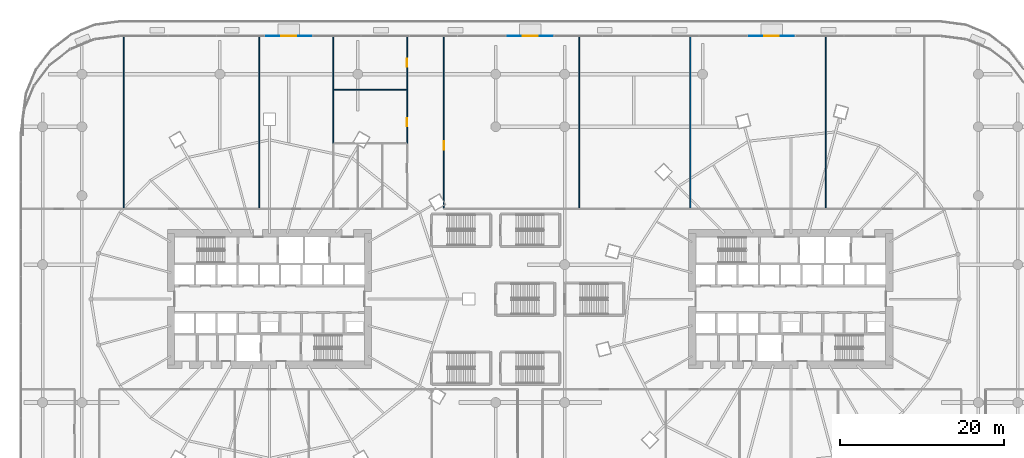
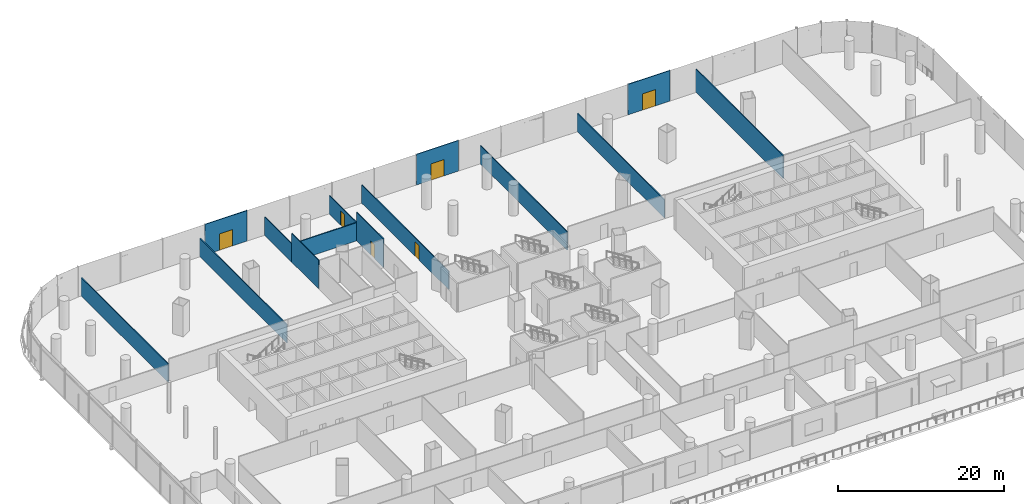
# One storey, part 34 of 43: 14 walls, 6 doors, 6 openings.
"""IFC4 building model written with IfcOpenShell, lengths in metres."""

from ifc_helpers import new_model, si_unit, direction, frame, frame_2d, origin, place, context, subcontext, project, spatial, rectangle, extrude, material, layer, layer_set, type_object, element, fill, save


model = new_model("IFC4")

# Units and contexts
model_context = context("Model", 3, precision=1e-05, world=origin(), true_north=direction((0.0, 1.0)))
body_context = subcontext(model_context, "Body", "Model", "MODEL_VIEW")
ifc_project = project(units=[si_unit("LENGTHUNIT", "METRE"), si_unit("AREAUNIT", "SQUARE_METRE"), si_unit("VOLUMEUNIT", "CUBIC_METRE"), si_unit("PLANEANGLEUNIT", "RADIAN"), si_unit("MASSUNIT", "GRAM", prefix="KILO")], contexts=[model_context])

# Site, building, storey
site_placement = place(None, origin())
site = spatial("IfcSite", under=ifc_project, at=site_placement, CompositionType="ELEMENT")
building_placement = place(site_placement, origin())
building = spatial("IfcBuilding", under=site, at=building_placement, Name="Rimbun Link Towers", CompositionType="ELEMENT")
storey_placement = place(building_placement, frame((0.0, 0.0, 12.0)))
storey = spatial("IfcBuildingStorey", under=building, at=storey_placement, Name="L02", CompositionType="ELEMENT", Elevation=12.0)

# Wall, opening, door
ifc_material_1 = material(Name="Aluminium framed insulated infill panel", Category="aluminium")
ifc_layer_1 = layer(ifc_material_1, 0.10009765625)
ifc_layer_set_1 = layer_set([ifc_layer_1], Name="ED framed infill wall 100")
wall_type_1 = type_object("IfcWallType", Name="ED framed infill wall 100", PredefinedType="STANDARD", material=ifc_layer_set_1)
wall_1_placement = place(storey_placement, frame((26.490478515625, 32.050048828125, 0.0), z_axis=(0.0, 0.0, 1.0), x_axis=(1.0, 0.0, 0.0)))
wall_1 = element("IfcWall", 1, at=wall_1_placement, inside=storey, type_object=wall_type_1, Name="Framed door bay wall", PredefinedType="STANDARD", context=body_context, shape_type="SweptSolid", body=[
    extrude(rectangle(XDim=5.842529296875, YDim=0.10009765625, at=frame_2d((2.92138671875, 0.0))), origin(), (0.0, 0.0, 1.0), 4.5),
])
opening_1_placement = place(wall_1_placement, frame((2.021240234375, 0.0, 0.0)))
opening_1 = element("IfcOpeningElement", 2, at=opening_1_placement, cuts=wall_1, Name="Opening ED29", PredefinedType="OPENING", context=body_context, shape_type="SweptSolid", body=[
    extrude(rectangle(XDim=1.800048828125, YDim=2.39990234375, at=frame_2d((0.89990234375, 1.199951171875))), frame((0.0, 0.06005859375, 0.0), z_axis=(0.0, -1.0, 0.0), x_axis=(1.0, 0.0, 0.0)), (0.0, 0.0, 1.0), 0.1201171875),
])
ifc_material_2 = material(Name="Aluminium framed glazed door, low-iron glass", Category="aluminium")
door_type_1 = type_object("IfcDoorType", Name="ED terrace door double leaf 1800X2400", OperationType="DOUBLE_DOOR_SINGLE_SWING", PredefinedType="DOOR", material=ifc_material_2)
door_1_placement = place(opening_1_placement, origin())
door_1 = element("IfcDoor", 3, at=door_1_placement, inside=storey, type_object=door_type_1, Name="Terrace door", OperationType="SINGLE_SWING_LEFT", OverallHeight=2.39990234375, OverallWidth=1.800048828125, PredefinedType="DOOR", context=body_context, shape_type="SweptSolid", body=[
    extrude(rectangle(XDim=1.800048828125, YDim=2.39990234375, at=frame_2d((0.89990234375, 1.199951171875))), frame((0.0, 0.02490234375, 0.0), z_axis=(0.0, -1.0, 0.0), x_axis=(1.0, 0.0, 0.0)), (0.0, 0.0, 1.0), 0.050048828125),
])
fill(opening_1, door_1)

wall_2_placement = place(storey_placement, frame((-2.921142578125, 32.050048828125, 0.0), z_axis=(0.0, 0.0, 1.0), x_axis=(1.0, 0.0, 0.0)))
wall_2 = element("IfcWall", 4, at=wall_2_placement, inside=storey, type_object=wall_type_1, Name="Framed door bay wall", PredefinedType="STANDARD", context=body_context, shape_type="SweptSolid", body=[
    extrude(rectangle(XDim=5.84228515625, YDim=0.10009765625, at=frame_2d((2.921142578125, 0.0))), origin(), (0.0, 0.0, 1.0), 4.5),
])
opening_2_placement = place(wall_2_placement, frame((2.021240234375, 0.0, 0.0)))
opening_2 = element("IfcOpeningElement", 5, at=opening_2_placement, cuts=wall_2, Name="Opening ED30", PredefinedType="OPENING", context=body_context, shape_type="SweptSolid", body=[
    extrude(rectangle(XDim=1.800048828125, YDim=2.39990234375, at=frame_2d((0.89990234375, 1.199951171875))), frame((0.0, 0.06005859375, 0.0), z_axis=(0.0, -1.0, 0.0), x_axis=(1.0, 0.0, 0.0)), (0.0, 0.0, 1.0), 0.1201171875),
])
door_2_placement = place(opening_2_placement, origin())
door_2 = element("IfcDoor", 6, at=door_2_placement, inside=storey, type_object=door_type_1, Name="Terrace door", OperationType="SINGLE_SWING_LEFT", OverallHeight=2.39990234375, OverallWidth=1.800048828125, PredefinedType="DOOR", context=body_context, shape_type="SweptSolid", body=[
    extrude(rectangle(XDim=1.800048828125, YDim=2.39990234375, at=frame_2d((0.89990234375, 1.199951171875))), frame((0.0, 0.02490234375, 0.0), z_axis=(0.0, -1.0, 0.0), x_axis=(1.0, 0.0, 0.0)), (0.0, 0.0, 1.0), 0.050048828125),
])
fill(opening_2, door_2)

wall_3_placement = place(storey_placement, frame((-32.3330078125, 32.050048828125, 0.0), z_axis=(0.0, 0.0, 1.0), x_axis=(1.0, 0.0, 0.0)))
wall_3 = element("IfcWall", 7, at=wall_3_placement, inside=storey, type_object=wall_type_1, Name="Framed door bay wall", PredefinedType="STANDARD", context=body_context, shape_type="SweptSolid", body=[
    extrude(rectangle(XDim=5.842529296875, YDim=0.10009765625, at=frame_2d((2.92138671875, 0.0))), origin(), (0.0, 0.0, 1.0), 4.5),
])
opening_3_placement = place(wall_3_placement, frame((2.021240234375, 0.0, 0.0)))
opening_3 = element("IfcOpeningElement", 8, at=opening_3_placement, cuts=wall_3, Name="Opening ED31", PredefinedType="OPENING", context=body_context, shape_type="SweptSolid", body=[
    extrude(rectangle(XDim=1.800048828125, YDim=2.39990234375, at=frame_2d((0.89990234375, 1.199951171875))), frame((0.0, 0.06005859375, 0.0), z_axis=(0.0, -1.0, 0.0), x_axis=(1.0, 0.0, 0.0)), (0.0, 0.0, 1.0), 0.1201171875),
])
door_3_placement = place(opening_3_placement, origin())
door_3 = element("IfcDoor", 9, at=door_3_placement, inside=storey, type_object=door_type_1, Name="Terrace door", OperationType="SINGLE_SWING_LEFT", OverallHeight=2.39990234375, OverallWidth=1.800048828125, PredefinedType="DOOR", context=body_context, shape_type="SweptSolid", body=[
    extrude(rectangle(XDim=1.800048828125, YDim=2.39990234375, at=frame_2d((0.89990234375, 1.199951171875))), frame((0.0, 0.02490234375, 0.0), z_axis=(0.0, -1.0, 0.0), x_axis=(1.0, 0.0, 0.0)), (0.0, 0.0, 1.0), 0.050048828125),
])
fill(opening_3, door_3)

ifc_material_3 = material(Name="Gypsum board on steel studs", Category="steel")
ifc_layer_2 = layer(ifc_material_3, 0.125)
ifc_layer_set_2 = layer_set([ifc_layer_2], Name="Partition 125 board on studs")
wall_type_2 = type_object("IfcWallType", Name="Partition 125 board on studs", PredefinedType="PARTITIONING", material=ifc_layer_set_2)
wall_4_placement = place(storey_placement, frame((-15.0, 25.5, 0.0), z_axis=(0.0, 0.0, 1.0), x_axis=(0.0, -1.0, 0.0)))
wall_4 = element("IfcWall", 10, at=wall_4_placement, inside=storey, type_object=wall_type_2, Name="PD/PW/L02/088", PredefinedType="PARTITIONING", context=body_context, shape_type="SweptSolid", body=[
    extrude(rectangle(XDim=6.5, YDim=0.125, at=frame_2d((3.25, 0.0))), origin(), (0.0, 0.0, 1.0), 4.199951171875),
])
opening_4_placement = place(wall_4_placement, frame((3.43994140625, 0.0, 0.0)))
opening_4 = element("IfcOpeningElement", 11, at=opening_4_placement, cuts=wall_4, Name="Opening PD D02.24", PredefinedType="OPENING", context=body_context, shape_type="SweptSolid", body=[
    extrude(rectangle(XDim=1.0, YDim=2.10009765625, at=frame_2d((0.5, 1.050048828125))), frame((0.0, 0.072509765625, 0.0), z_axis=(0.0, -1.0, 0.0), x_axis=(1.0, 0.0, 0.0)), (0.0, 0.0, 1.0), 0.14501953125),
])
ifc_material_4 = material(Name="Timber door set", Category="wood")
door_type_2 = type_object("IfcDoorType", Name="Door single leaf 1000 x 2100", OperationType="NOTDEFINED", PredefinedType="DOOR", material=ifc_material_4)
door_4_placement = place(opening_4_placement, origin())
door_4 = element("IfcDoor", 12, at=door_4_placement, inside=storey, type_object=door_type_2, Name="PD/DR/L02/024", OperationType="SINGLE_SWING_LEFT", OverallHeight=2.10009765625, OverallWidth=1.0, PredefinedType="DOOR", context=body_context, shape_type="SweptSolid", body=[
    extrude(rectangle(XDim=1.0, YDim=2.10009765625, at=frame_2d((0.5, 1.050048828125))), frame((0.0, 0.02490234375, 0.0), z_axis=(0.0, -1.0, 0.0), x_axis=(1.0, 0.0, 0.0)), (0.0, 0.0, 1.0), 0.050048828125),
])
fill(opening_4, door_4)

wall_5_placement = place(storey_placement, frame((-15.0, 32.080078125, 0.0), z_axis=(0.0, 0.0, 1.0), x_axis=(0.0, -1.0, 0.0)))
wall_5 = element("IfcWall", 13, at=wall_5_placement, inside=storey, type_object=wall_type_2, Name="PD/PW/L02/089", PredefinedType="PARTITIONING", context=body_context, shape_type="SweptSolid", body=[
    extrude(rectangle(XDim=6.580078125, YDim=0.125, at=frame_2d((3.2900390625, 0.0))), origin(), (0.0, 0.0, 1.0), 2.679931640625),
])
opening_5_placement = place(wall_5_placement, frame((2.7900390625, 0.0, 0.0)))
opening_5 = element("IfcOpeningElement", 14, at=opening_5_placement, cuts=wall_5, Name="Opening PD D02.25", PredefinedType="OPENING", context=body_context, shape_type="SweptSolid", body=[
    extrude(rectangle(XDim=1.0, YDim=2.10009765625, at=frame_2d((0.5, 1.050048828125))), frame((0.0, 0.072509765625, 0.0), z_axis=(0.0, -1.0, 0.0), x_axis=(1.0, 0.0, 0.0)), (0.0, 0.0, 1.0), 0.14501953125),
])
door_5_placement = place(opening_5_placement, origin())
door_5 = element("IfcDoor", 15, at=door_5_placement, inside=storey, type_object=door_type_2, Name="PD/DR/L02/025", OperationType="SINGLE_SWING_RIGHT", OverallHeight=2.10009765625, OverallWidth=1.0, PredefinedType="DOOR", context=body_context, shape_type="SweptSolid", body=[
    extrude(rectangle(XDim=1.0, YDim=2.10009765625, at=frame_2d((0.5, 1.050048828125))), frame((0.0, 0.02490234375, 0.0), z_axis=(0.0, -1.0, 0.0), x_axis=(1.0, 0.0, 0.0)), (0.0, 0.0, 1.0), 0.050048828125),
])
fill(opening_5, door_5)

wall_6_placement = place(storey_placement, frame((-10.5, 11.0625, 0.0), z_axis=(0.0, 0.0, 1.0), x_axis=(0.0, 1.0, 0.0)))
wall_6 = element("IfcWall", 16, at=wall_6_placement, inside=storey, type_object=wall_type_2, Name="PD/PW/L02/090", PredefinedType="PARTITIONING", context=body_context, shape_type="SweptSolid", body=[
    extrude(rectangle(XDim=21.017578125, YDim=0.125, at=frame_2d((10.5087890625, 0.0))), origin(), (0.0, 0.0, 1.0), 2.679931640625),
])
opening_6_placement = place(wall_6_placement, frame((7.14111328125, 0.0, 0.0)))
opening_6 = element("IfcOpeningElement", 17, at=opening_6_placement, cuts=wall_6, Name="Opening PD D02.29", PredefinedType="OPENING", context=body_context, shape_type="SweptSolid", body=[
    extrude(rectangle(XDim=1.0, YDim=2.10009765625, at=frame_2d((0.5, 1.050048828125))), frame((0.0, 0.072509765625, 0.0), z_axis=(0.0, -1.0, 0.0), x_axis=(1.0, 0.0, 0.0)), (0.0, 0.0, 1.0), 0.14501953125),
])
door_6_placement = place(opening_6_placement, origin())
door_6 = element("IfcDoor", 18, at=door_6_placement, inside=storey, type_object=door_type_2, Name="PD/DR/L02/029", OperationType="SINGLE_SWING_RIGHT", OverallHeight=2.10009765625, OverallWidth=1.0, PredefinedType="DOOR", context=body_context, shape_type="SweptSolid", body=[
    extrude(rectangle(XDim=1.0, YDim=2.10009765625, at=frame_2d((0.5, 1.050048828125))), frame((0.0, 0.02490234375, 0.0), z_axis=(0.0, -1.0, 0.0), x_axis=(1.0, 0.0, 0.0)), (0.0, 0.0, 1.0), 0.050048828125),
])
fill(opening_6, door_6)

# Walls
wall_7_placement = place(storey_placement, frame((-15.0625, 25.5, 0.0), z_axis=(0.0, 0.0, 1.0), x_axis=(-1.0, 0.0, 0.0)))
element("IfcWall", 19, at=wall_7_placement, inside=storey, type_object=wall_type_2, Name="PD/PW/L02/097", PredefinedType="PARTITIONING", context=body_context, shape_type="SweptSolid", body=[
    extrude(rectangle(XDim=8.875, YDim=0.125, at=frame_2d((4.4375, 0.0))), origin(), (0.0, 0.0, 1.0), 2.679931640625),
])
wall_8_placement = place(storey_placement, frame((-24.0, 25.52001953125, 0.0), z_axis=(0.0, 0.0, 1.0), x_axis=(0.0, -1.0, 0.0)))
element("IfcWall", 20, at=wall_8_placement, inside=storey, type_object=wall_type_2, Name="PD/PW/L02/098", PredefinedType="PARTITIONING", context=body_context, shape_type="SweptSolid", body=[
    extrude(rectangle(XDim=6.5400390625, YDim=0.125, at=frame_2d((3.27001953125, 0.0))), origin(), (0.0, 0.0, 1.0), 4.199951171875),
])
wall_9_placement = place(storey_placement, frame((-24.0, 32.080078125, 0.0), z_axis=(0.0, 0.0, 1.0), x_axis=(0.0, -1.0, 0.0)))
element("IfcWall", 21, at=wall_9_placement, inside=storey, type_object=wall_type_2, Name="PD/PW/L02/099", PredefinedType="PARTITIONING", context=body_context, shape_type="SweptSolid", body=[
    extrude(rectangle(XDim=6.60009765625, YDim=0.125, at=frame_2d((3.300048828125, 0.0))), origin(), (0.0, 0.0, 1.0), 2.679931640625),
])
for number, where, z_axis, x_axis, name in (
    (22, (-49.5, 11.0625, 0.0), (0.0, 0.0, 1.0), (0.0, 1.0, 0.0), "PD/PW/L02/100"),
    (23, (-33.0, 11.0625, 0.0), (0.0, 0.0, 1.0), (0.0, 1.0, 0.0), "PD/PW/L02/101"),
    (24, (6.0, 11.0625, 0.0), (0.0, 0.0, 1.0), (0.0, 1.0, 0.0), "PD/PW/L02/102"),
    (25, (19.5, 11.0625, 0.0), (0.0, 0.0, 1.0), (0.0, 1.0, 0.0), "PD/PW/L02/103"),
):
    element("IfcWall", number, at=place(storey_placement, frame(where, z_axis=z_axis, x_axis=x_axis)), inside=storey, type_object=wall_type_2, Name=name, PredefinedType="PARTITIONING", context=body_context, shape_type="SweptSolid", body=[
        extrude(rectangle(XDim=21.017578125, YDim=0.125, at=frame_2d((10.5087890625, 0.0))), origin(), (0.0, 0.0, 1.0), 2.679931640625),
    ])
wall_10_placement = place(storey_placement, frame((36.0, 11.0625, 0.0), z_axis=(0.0, 0.0, 1.0), x_axis=(0.0, 1.0, 0.0)))
element("IfcWall", 26, at=wall_10_placement, inside=storey, type_object=wall_type_2, Name="PD/PW/L02/104", PredefinedType="PARTITIONING", context=body_context, shape_type="SweptSolid", body=[
    extrude(rectangle(XDim=21.017578125, YDim=0.125, at=frame_2d((10.5087890625, 0.0))), origin(), (0.0, 0.0, 1.0), 3.41796875),
])

save(model, "model.ifc")
